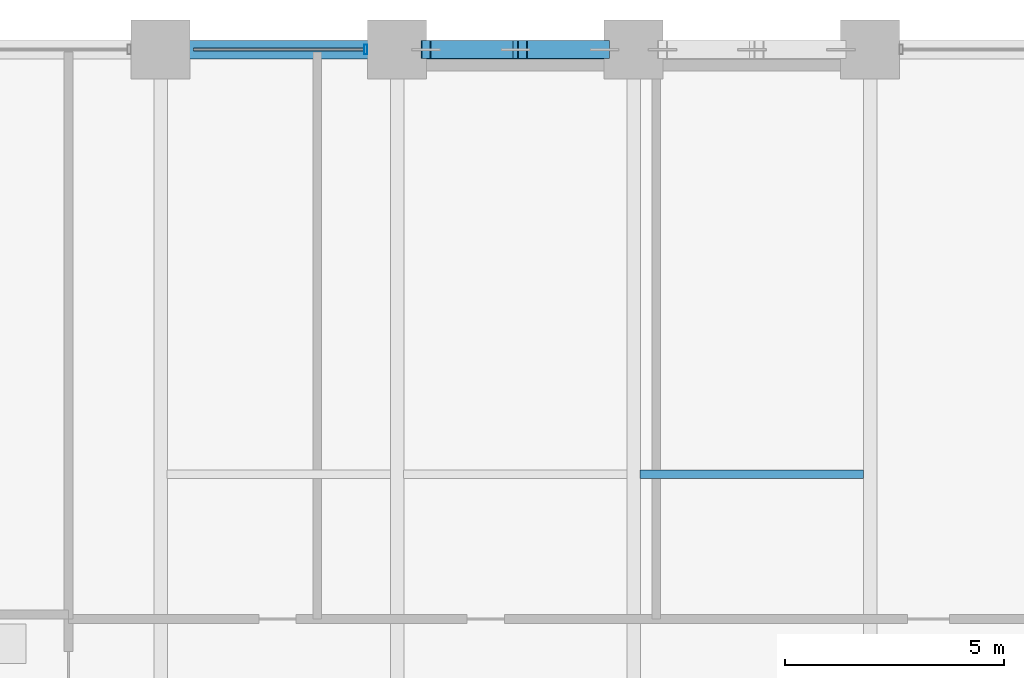
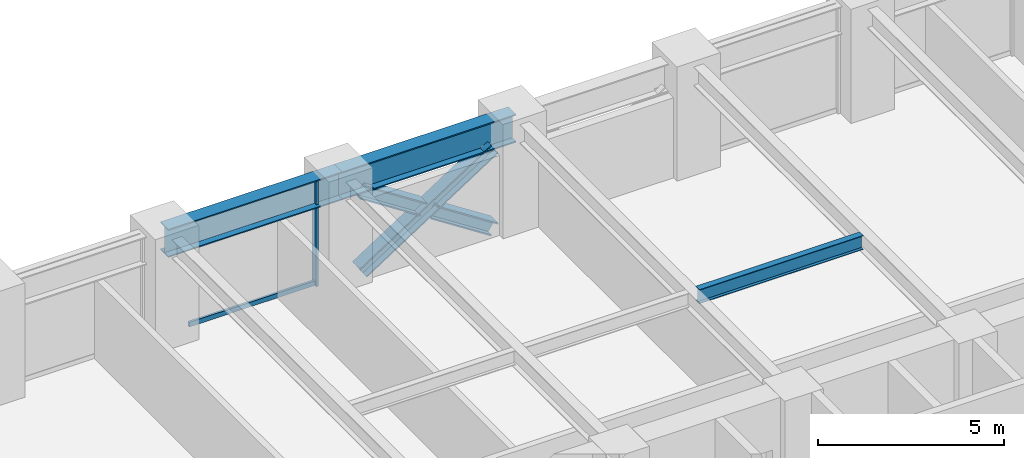
# One storey, part 13 of 24: 5 members, 3 beams, 1 element without a shape of its own.
"""IFC4 building model written with IfcOpenShell, lengths in metres."""

from ifc_helpers import new_model, si_unit, direction, frame, origin, origin_2d, place, context, subcontext, project, spatial, hollow_rectangle, i_section, extrude, material, layer, layer_set, material_profile, profile_set, type_object, element, aggregate, save


model = new_model("IFC4")

# Units and contexts
model_context = context("Model", 3, precision=1e-05, world=origin(), true_north=direction((0.0, 1.0)))
body_context = subcontext(model_context, "Body", "Model", "MODEL_VIEW")
ifc_project = project(units=[si_unit("LENGTHUNIT", "METRE"), si_unit("AREAUNIT", "SQUARE_METRE"), si_unit("VOLUMEUNIT", "CUBIC_METRE"), si_unit("PLANEANGLEUNIT", "RADIAN"), si_unit("MASSUNIT", "GRAM", prefix="KILO")], contexts=[model_context])

# Site, building, storey
site_placement = place(None, origin())
site = spatial("IfcSite", under=ifc_project, at=site_placement, CompositionType="ELEMENT")
building_placement = place(site_placement, origin())
building = spatial("IfcBuilding", under=site, at=building_placement, Name="Surkhivell Harbour Commons", CompositionType="ELEMENT")
storey_placement = place(building_placement, frame((0.0, 0.0, 26.25)))
storey = spatial("IfcBuildingStorey", under=building, at=storey_placement, Name="L06", CompositionType="ELEMENT", Elevation=26.25)

# Beams
ifc_material_1 = material(Name="Steel S355", Category="steel")
ifc_material_profile_1 = material_profile(ifc_material_1, i_section(OverallWidth=0.19189453125, OverallDepth=0.462890625, WebThickness=0.010498046875, FlangeThickness=0.017578125, at=origin_2d()), Name="UB457x191x89")
ifc_profile_set_1 = profile_set([ifc_material_profile_1], Name="Steel S355")
beam_type_1 = type_object("IfcBeamType", Name="BM-JST-457A", PredefinedType="JOIST", material=ifc_profile_set_1)
beam_1_placement = place(storey_placement, frame((0.151611328125, 16.199951171875, 3.33837890625), z_axis=(1.0, 0.0, 0.0), x_axis=(0.0, 1.0, 0.0)))
element("IfcBeam", 1, at=beam_1_placement, inside=storey, type_object=beam_type_1, Name="L06 North Composite Joist (0.0)", PredefinedType="JOIST", context=body_context, shape_type="SweptSolid", body=[
    extrude(i_section(OverallWidth=0.19189453125, OverallDepth=0.462890625, WebThickness=0.010498046875, FlangeThickness=0.017578125, at=origin_2d()), origin(), (0.0, 0.0, 1.0), 5.096923828125),
])
ifc_material_2 = material(Name="Steel S460", Category="steel")
ifc_material_profile_2 = material_profile(ifc_material_2, i_section(OverallWidth=0.419921875, OverallDepth=0.9208984375, WebThickness=0.021484375, FlangeThickness=0.03662109375, at=origin_2d()), Name="UB914x419x388")
ifc_profile_set_2 = profile_set([ifc_material_profile_2], Name="Steel S460")
beam_type_2 = type_object("IfcBeamType", Name="BM-SPN-914A", PredefinedType="SPANDREL", material=ifc_profile_set_2)
beam_2_placement = place(storey_placement, frame((-10.800048828125, 25.89990234375, 3.109619140625), z_axis=(1.0, 0.0, 0.0), x_axis=(0.0, 1.0, 0.0)))
element("IfcBeam", 2, at=beam_2_placement, inside=storey, type_object=beam_type_2, Name="L06 Tube Spandrel (-10.8,25.9)", PredefinedType="SPANDREL", context=body_context, shape_type="SweptSolid", body=[
    extrude(i_section(OverallWidth=0.419921875, OverallDepth=0.9208984375, WebThickness=0.021484375, FlangeThickness=0.03662109375, at=origin_2d()), origin(), (0.0, 0.0, 1.0), 5.400146484375),
])
beam_3_placement = place(storey_placement, frame((-5.39990234375, 25.89990234375, 3.109619140625), z_axis=(1.0, 0.0, 0.0), x_axis=(0.0, 1.0, 0.0)))
element("IfcBeam", 3, at=beam_3_placement, inside=storey, type_object=beam_type_2, Name="L06 Tube Spandrel (-5.4,25.9)", PredefinedType="SPANDREL", context=body_context, shape_type="SweptSolid", body=[
    extrude(i_section(OverallWidth=0.419921875, OverallDepth=0.9208984375, WebThickness=0.021484375, FlangeThickness=0.03662109375, at=origin_2d()), origin(), (0.0, 0.0, 1.0), 5.39990234375),
])

# Curtain wall, members
ifc_material_3 = material(Name="Anodised pale-metal aluminium and insulated glazing", Category="aluminium")
ifc_layer = layer(ifc_material_3, 0.219970703125)
ifc_layer_set = layer_set([ifc_layer], Name="Anodised pale-metal aluminium and insulated glazing")
curtain_wall_type = type_object("IfcCurtainWallType", Name="CW-SYS-Z1", PredefinedType="NOTDEFINED", material=ifc_layer_set)
curtain_wall_placement = place(storey_placement, origin())
curtain_wall = element("IfcCurtainWall", 4, at=curtain_wall_placement, inside=storey, type_object=curtain_wall_type, Name="L06 Curtain Wall CW-L06-E07S2", PredefinedType="NOTDEFINED")
ifc_material_4 = material(Name="Anodised pale-metal aluminium alloy 6063-T6", Category="aluminium")
ifc_material_profile_3 = material_profile(ifc_material_4, hollow_rectangle(XDim=0.074951171875, YDim=0.219970703125, WallThickness=0.00390625, at=origin_2d()), Name="ALU-MULL-75x220")
ifc_profile_set_3 = profile_set([ifc_material_profile_3], Name="Anodised pale-metal aluminium alloy 6063-T6")
member_type_1 = type_object("IfcMemberType", Name="CWM-220", PredefinedType="MULLION", material=ifc_profile_set_3)
member_1_placement = place(storey_placement, frame((-6.114501953125, 25.89990234375, 0.0), z_axis=(0.0, 0.0, 1.0), x_axis=(-1.0, 0.0, 0.0)))
member_1 = element("IfcMember", 5, at=member_1_placement, type_object=member_type_1, Name="CW-Z1 mullion 1", PredefinedType="MULLION", context=body_context, shape_type="SweptSolid", body=[
    extrude(hollow_rectangle(XDim=0.074951171875, YDim=0.219970703125, WallThickness=0.00390625, at=origin_2d()), origin(), (0.0, 0.0, 1.0), 3.570068359375),
])
ifc_material_profile_4 = material_profile(ifc_material_4, hollow_rectangle(XDim=0.074951171875, YDim=0.14990234375, WallThickness=0.00341796875, at=origin_2d()), Name="ALU-TRAN-75x150")
ifc_profile_set_4 = profile_set([ifc_material_profile_4], Name="Anodised pale-metal aluminium alloy 6063-T6")
member_type_2 = type_object("IfcMemberType", Name="CWT-150", PredefinedType="USERDEFINED", material=ifc_profile_set_4)
member_2_placement = place(storey_placement, frame((-6.152099609375, 25.89990234375, 0.074951171875), z_axis=(-1.0, 0.0, 0.0), x_axis=(0.0, -1.0, 0.0)))
member_2 = element("IfcMember", 6, at=member_2_placement, type_object=member_type_2, Name="CW-Z1 transom 1.1", ObjectType="TRANSOM", PredefinedType="USERDEFINED", context=body_context, shape_type="SweptSolid", body=[
    extrude(hollow_rectangle(XDim=0.074951171875, YDim=0.14990234375, WallThickness=0.00341796875, at=origin_2d()), origin(), (0.0, 0.0, 1.0), 3.89599609375),
])
aggregate(curtain_wall, [member_1, member_2])

# Members
ifc_material_profile_5 = material_profile(ifc_material_2, i_section(OverallWidth=0.406005859375, OverallDepth=0.416015625, WebThickness=0.026611328125, FlangeThickness=0.0390625, at=origin_2d()), Name="HD400x382")
ifc_profile_set_5 = profile_set([ifc_material_profile_5], Name="Steel S460")
member_type_3 = type_object("IfcMemberType", Name="MEM-BRC-HD382", PredefinedType="BRACE", material=ifc_profile_set_5)
member_3_placement = place(storey_placement, frame((-4.739990234375, 25.89990234375, 0.008056640625), z_axis=(0.83910375559, 0.0, 0.543971403067), x_axis=(0.0, 1.0, 0.0)))
element("IfcMember", 7, at=member_3_placement, inside=storey, type_object=member_type_3, Name="L06 Perimeter Mega-Brace MB- 01", PredefinedType="BRACE", context=body_context, shape_type="SweptSolid", body=[
    extrude(i_section(OverallWidth=0.406005859375, OverallDepth=0.416015625, WebThickness=0.026611328125, FlangeThickness=0.0390625, at=origin_2d()), origin(), (0.0, 0.0, 1.0), 4.8623046875),
])
member_4_placement = place(storey_placement, frame((-0.659912109375, 25.89990234375, 0.008056640625), z_axis=(-0.839117847051, 0.0, 0.54394966565), x_axis=(0.0, -1.0, 0.0)))
element("IfcMember", 8, at=member_4_placement, inside=storey, type_object=member_type_3, Name="L06 Perimeter Mega-Brace MB- 02", PredefinedType="BRACE", context=body_context, shape_type="SweptSolid", body=[
    extrude(i_section(OverallWidth=0.406005859375, OverallDepth=0.416015625, WebThickness=0.026611328125, FlangeThickness=0.0390625, at=origin_2d()), origin(), (0.0, 0.0, 1.0), 2.231689453125),
])
member_5_placement = place(storey_placement, frame((-2.86767578125, 25.89990234375, 1.439208984375), z_axis=(-0.83908547242, 0.0, 0.543999604756), x_axis=(0.0, -1.0, 0.0)))
element("IfcMember", 9, at=member_5_placement, inside=storey, type_object=member_type_3, Name="L06 Perimeter Mega-Brace MB- 03", PredefinedType="BRACE", context=body_context, shape_type="SweptSolid", body=[
    extrude(i_section(OverallWidth=0.406005859375, OverallDepth=0.416015625, WebThickness=0.026611328125, FlangeThickness=0.0390625, at=origin_2d()), origin(), (0.0, 0.0, 1.0), 2.2314453125),
])

save(model, "model.ifc")
